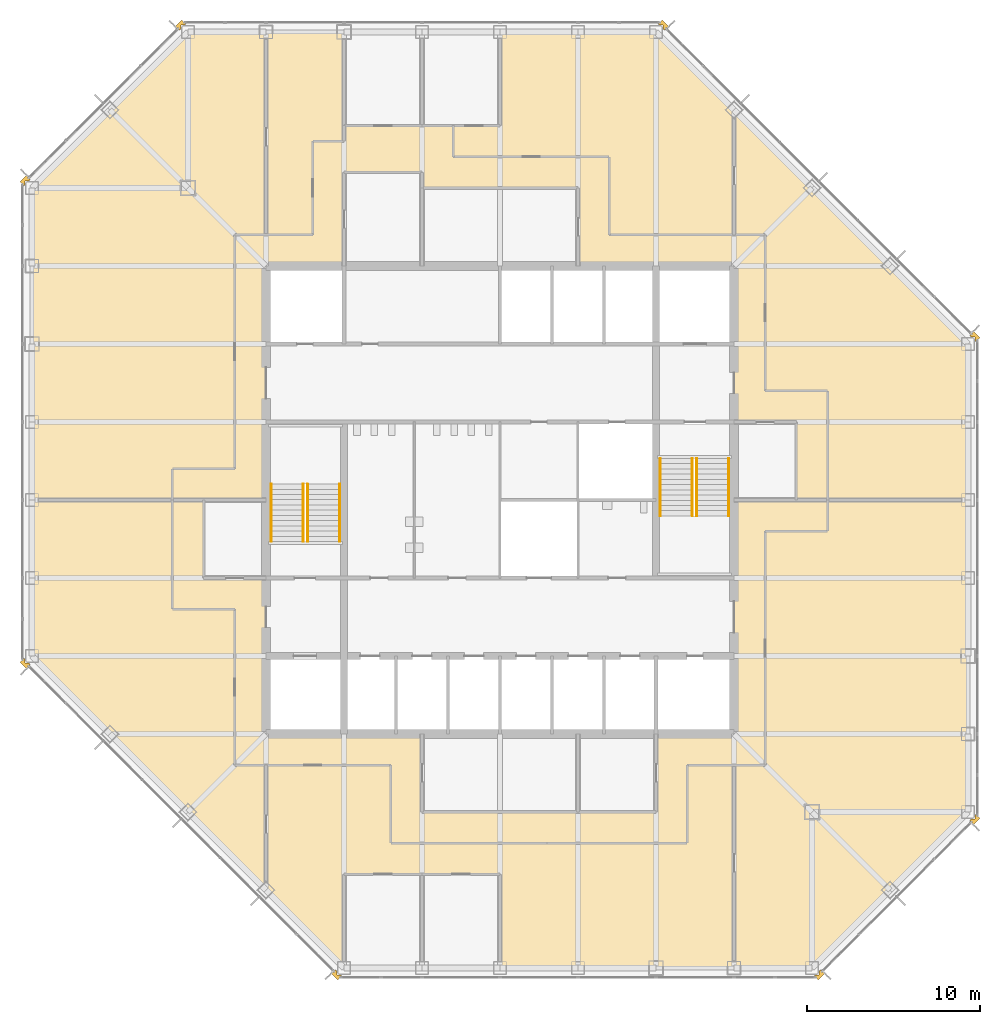
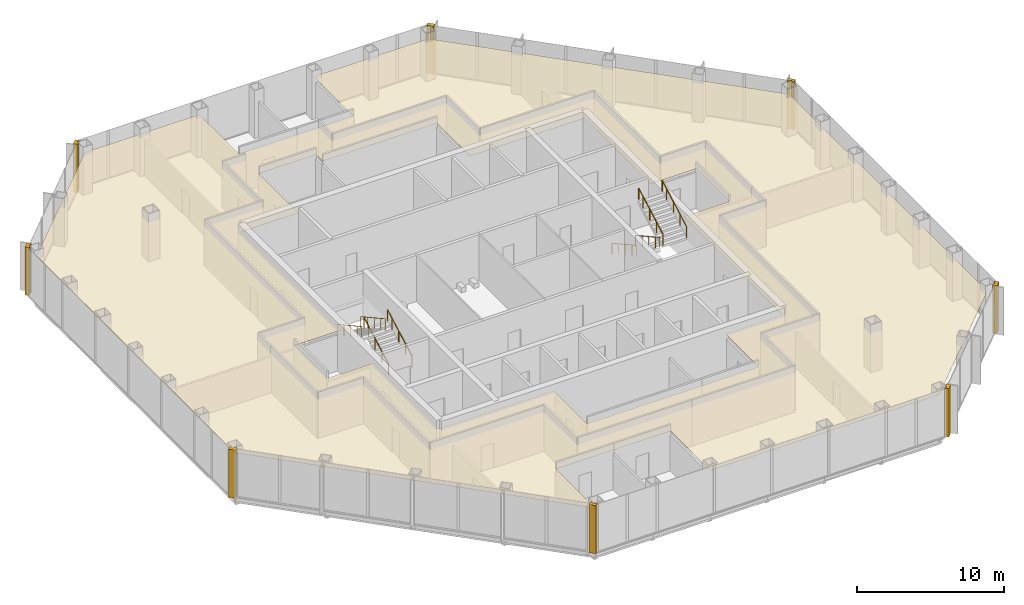
# One storey, part 12 of 13: 9 coverings, 8 railings.
"""IFC4 building model written with IfcOpenShell, lengths in metres."""

import ifcopenshell
import ifcopenshell.guid

model = None  # the IFC model being written
_history = None  # IfcOwnerHistory: only IFC2X3 demands one
_inside = {}  # id of a spatial element -> (the spatial element, [elements in it])
_under = {}  # id of a project, library or spatial element -> (it, [spatial elements below it])
_declared = {}  # id of a project -> (the project, [libraries it declares])
_typed = {}  # id of a type object -> (the type object, [elements of that type])
_made_of = {}  # id of a material, layer set ... -> (it, [elements and type objects made of it])


def new_model(schema):
    """Start an empty IFC model of exactly this schema.

    Asked for "IFC4X3", IfcOpenShell would pick the latest addendum, in which some entities
    have other attributes; the version numbers below select the first issue.
    IFC2X3 requires an IfcOwnerHistory on every rooted entity: one is made here for all.
    """
    global model, _history
    if schema == "IFC4X3":
        model = ifcopenshell.file(schema_version=(4, 3, 0, 0))
    else:
        model = ifcopenshell.file(schema=schema)
    _inside.clear()
    _under.clear()
    _declared.clear()
    _typed.clear()
    _made_of.clear()
    _history = None
    if model.schema == "IFC2X3":
        org = make("IfcOrganization", Name="unknown")
        user = make(
            "IfcPersonAndOrganization",
            ThePerson=make("IfcPerson", FamilyName="unknown"),
            TheOrganization=org,
        )
        app = make(
            "IfcApplication",
            ApplicationDeveloper=org,
            Version="unknown",
            ApplicationFullName="unknown",
            ApplicationIdentifier="unknown",
        )
        _history = make(
            "IfcOwnerHistory",
            OwningUser=user,
            OwningApplication=app,
            ChangeAction="ADDED",
            CreationDate=0,
        )
    return model


def make(cls, **values):
    """One entity of the class cls with the attributes given. An attribute that is None is left unset."""
    return model.create_entity(
        cls, **{name: value for name, value in values.items() if value is not None}
    )


def rooted(cls, **values):
    """An entity with a GlobalId (a new one), such as an element, a storey or a relation."""
    return make(cls, GlobalId=ifcopenshell.guid.new(), OwnerHistory=_history, **values)


def si_unit(unit_type, name, prefix=None):
    """IfcSIUnit, for example si_unit("LENGTHUNIT", "METRE", prefix="MILLI")."""
    return make("IfcSIUnit", UnitType=unit_type, Prefix=prefix, Name=name)


def assignment(units):
    """IfcUnitAssignment: the units of a project."""
    return None if units is None else make("IfcUnitAssignment", Units=units)


def point(xyz):
    """IfcCartesianPoint."""
    return None if xyz is None else make("IfcCartesianPoint", Coordinates=xyz)


def direction(xyz):
    """IfcDirection."""
    return None if xyz is None else make("IfcDirection", DirectionRatios=xyz)


def frame(location, z_axis=None, x_axis=None):
    """IfcAxis2Placement3D, a coordinate frame: its origin and axes. An axis left out is left unset."""
    return make(
        "IfcAxis2Placement3D",
        Location=point(location),
        Axis=direction(z_axis),
        RefDirection=direction(x_axis),
    )


def frame_2d(location, x_axis=None):
    """IfcAxis2Placement2D, a coordinate frame in the plane: its origin and x axis."""
    return make(
        "IfcAxis2Placement2D", Location=point(location), RefDirection=direction(x_axis)
    )


def origin():
    """The frame at (0, 0, 0) with its axes left unset."""
    return frame((0.0, 0.0, 0.0))


def origin_2d():
    """The frame at (0, 0) in the plane with its x axis left unset."""
    return frame_2d((0.0, 0.0))


def place(relative_to, where):
    """IfcLocalPlacement: puts the frame where relative to a parent placement (None: the world)."""
    return make(
        "IfcLocalPlacement", PlacementRelTo=relative_to, RelativePlacement=where
    )


def context(
    kind, dimensions, precision=None, world=None, true_north=None, identifier=None
):
    """IfcGeometricRepresentationContext, for example the 3D "Model" context."""
    return make(
        "IfcGeometricRepresentationContext",
        ContextIdentifier=identifier,
        ContextType=kind,
        CoordinateSpaceDimension=dimensions,
        Precision=precision,
        WorldCoordinateSystem=world,
        TrueNorth=true_north,
    )


def subcontext(parent, identifier, kind, view, scale=None):
    """IfcGeometricRepresentationSubContext, for example "Body" below "Model"."""
    return make(
        "IfcGeometricRepresentationSubContext",
        ContextIdentifier=identifier,
        ContextType=kind,
        ParentContext=parent,
        TargetScale=scale,
        TargetView=view,
    )


def project(units=None, contexts=None):
    """IfcProject with its units and contexts."""
    return rooted(
        "IfcProject",
        Name="project",
        RepresentationContexts=contexts,
        UnitsInContext=assignment(units),
    )


def spatial(cls, under=None, at=None, **own):
    """A site, building, storey or space (cls), placed at a placement, below another one or the project."""
    s = rooted(cls, ObjectPlacement=at, **own)
    if under is not None:
        _under.setdefault(under.id(), (under, []))[1].append(s)
    return s


def polyline(points):
    """IfcPolyline through the points."""
    return make("IfcPolyline", Points=[point(p) for p in points])


def profile(cls, at=None, kind="AREA", **sizes):
    """A parametric profile (cls). Its sizes go by their IFC names, for example OverallWidth=200.0."""
    return make(cls, ProfileType=kind, Position=at, **sizes)


def circle(**sizes):
    """IfcCircleProfileDef."""
    return profile("IfcCircleProfileDef", **sizes)


def outline(outer, holes=None, kind="AREA"):
    """IfcArbitraryClosedProfileDef: a profile drawn as a closed curve; with holes, ...WithVoids."""
    if holes is None:
        return make("IfcArbitraryClosedProfileDef", ProfileType=kind, OuterCurve=outer)
    return make(
        "IfcArbitraryProfileDefWithVoids",
        ProfileType=kind,
        OuterCurve=outer,
        InnerCurves=holes,
    )


def extrude(swept, where, along, depth):
    """IfcExtrudedAreaSolid: the profile swept, set in the frame where, extruded along a direction by depth."""
    return make(
        "IfcExtrudedAreaSolid",
        SweptArea=swept,
        Position=where,
        ExtrudedDirection=direction(along),
        Depth=depth,
    )


def shape(context_of_items, identifier, shape_type, items):
    """IfcShapeRepresentation: the items that make up one representation, for example the "Body"."""
    return make(
        "IfcShapeRepresentation",
        ContextOfItems=context_of_items,
        RepresentationIdentifier=identifier,
        RepresentationType=shape_type,
        Items=items,
    )


def material(Name=None, Category=None):
    """IfcMaterial."""
    return make("IfcMaterial", Name=Name, Category=Category)


def layer(
    of_material, thickness, ventilated=None, Name=None, Category=None, Priority=None
):
    """IfcMaterialLayer: one layer of a wall or slab, of a material (None: an air gap)."""
    return make(
        "IfcMaterialLayer",
        Material=of_material,
        LayerThickness=thickness,
        IsVentilated=ventilated,
        Name=Name,
        Category=Category,
        Priority=Priority,
    )


def layer_set(layers, Name=None):
    """IfcMaterialLayerSet."""
    return make("IfcMaterialLayerSet", MaterialLayers=layers, LayerSetName=Name)


def made_of(thing, what):
    """Note that an element or type object is made of a material, layer set ...; save() writes the relation."""
    if what is not None:
        _made_of.setdefault(what.id(), (what, []))[1].append(thing)
    return thing


def type_object(cls, material=None, **own):
    """A type object (cls), such as IfcWallType, which elements share."""
    return made_of(rooted(cls, **own), material)


def element(
    cls,
    number,
    at=None,
    inside=None,
    cuts=None,
    type_object=None,
    material=None,
    context=None,
    identifier="Body",
    shape_type=None,
    held_by="IfcProductDefinitionShape",
    body=None,
    shapes=None,
    **own,
):
    """One element of the class cls, such as IfcWall. Its Tag is "e" and its number.

    at: its placement. inside: the storey or other place that contains it. cuts: it is an
    opening in that element (IfcRelVoidsElement). A single representation is given by context,
    identifier, shape_type and body (its items); several are given by shapes. held_by: the class
    of the entity that holds the representations. save() writes the other relations.
    """
    e = rooted(cls, Tag="e%d" % number, ObjectPlacement=at, **own)
    if body is not None:
        shapes = [shape(context, identifier, shape_type, body)]
    if shapes is not None:
        e.Representation = make(held_by, Representations=shapes)
    if inside is not None:
        _inside.setdefault(inside.id(), (inside, []))[1].append(e)
    if cuts is not None:
        rooted(
            "IfcRelVoidsElement", RelatingBuildingElement=cuts, RelatedOpeningElement=e
        )
    if type_object is not None:
        _typed.setdefault(type_object.id(), (type_object, []))[1].append(e)
    return made_of(e, material)


def aggregate(whole, parts):
    """IfcRelAggregates: a whole, such as a stair, and the parts it consists of."""
    return rooted("IfcRelAggregates", RelatingObject=whole, RelatedObjects=parts)


def save(model, path):
    """Write the relations noted so far, then the file.

    IfcRelAggregates (storeys below a building ...), IfcRelContainedInSpatialStructure (elements
    in a storey), IfcRelDefinesByType, IfcRelAssociatesMaterial and IfcRelDeclares: one each for
    every whole, place, type object, material and project.
    """
    for whole, parts in _under.values():
        aggregate(whole, parts)
    for where, things in _inside.values():
        rooted(
            "IfcRelContainedInSpatialStructure",
            RelatedElements=things,
            RelatingStructure=where,
        )
    for kind, things in _typed.values():
        rooted("IfcRelDefinesByType", RelatedObjects=things, RelatingType=kind)
    for what, things in _made_of.values():
        rooted("IfcRelAssociatesMaterial", RelatedObjects=things, RelatingMaterial=what)
    for by, libraries in _declared.values():
        rooted("IfcRelDeclares", RelatingContext=by, RelatedDefinitions=libraries)
    model.write(path)


model = new_model("IFC4")

# Units and contexts
model_context = context("Model", 3, precision=1e-05, world=origin(), true_north=direction((0.0, 1.0)))
body_context = subcontext(model_context, "Body", "Model", "MODEL_VIEW")
ifc_project = project(units=[si_unit("LENGTHUNIT", "METRE"), si_unit("AREAUNIT", "SQUARE_METRE"), si_unit("VOLUMEUNIT", "CUBIC_METRE"), si_unit("PLANEANGLEUNIT", "RADIAN"), si_unit("MASSUNIT", "GRAM", prefix="KILO")], contexts=[model_context])

# Site, building, storey
site_placement = place(None, origin())
site = spatial("IfcSite", under=ifc_project, at=site_placement, CompositionType="ELEMENT")
building_placement = place(site_placement, origin())
building = spatial("IfcBuilding", under=site, at=building_placement, Name="Corais Broadcast Tower", CompositionType="ELEMENT")
storey_placement = place(building_placement, frame((0.0, 0.0, 123.60009765625)))
storey = spatial("IfcBuildingStorey", under=building, at=storey_placement, Name="L27", CompositionType="ELEMENT", Elevation=123.60009765625)

# Railings
ifc_material_1 = material(Name="Stainless steel handrail", Category="steel")
railing_type = type_object("IfcRailingType", Name="Handrail 920", PredefinedType="HANDRAIL", material=ifc_material_1)
for number, where, name in (
    (1, (17.75, 24.60009765625, 0.16650390625), "HR1 L27"),
    (2, (15.89990234375, 24.60009765625, 0.16650390625), "HR1 L27"),
):
    element("IfcRailing", number, at=place(storey_placement, frame(where)), inside=storey, type_object=railing_type, Name=name, PredefinedType="HANDRAIL", context=body_context, shape_type="SweptSolid", body=[
        extrude(circle(Radius=0.02392578125, at=origin_2d()), frame((0.0, 0.0, 0.89599609375), z_axis=(0.0, 0.875504475178, 0.483210010185), x_axis=(-1.0, 0.0, 0.0)), (0.0, 0.0, 1.0), 3.79443359375),
        extrude(circle(Radius=0.02099609375, at=origin_2d()), origin(), (0.0, 0.0, 1.0), 0.871826171875),
        extrude(circle(Radius=0.02099609375, at=origin_2d()), frame((0.0, 0.906005859375, 0.5)), (0.0, 0.0, 1.0), 0.871826171875),
        extrude(circle(Radius=0.02099609375, at=origin_2d()), frame((0.0, 1.81201171875, 1.0)), (0.0, 0.0, 1.0), 0.871826171875),
        extrude(circle(Radius=0.02099609375, at=origin_2d()), frame((0.0, 2.718017578125, 1.500244140625)), (0.0, 0.0, 1.0), 0.871826171875),
        extrude(circle(Radius=0.02099609375, at=origin_2d()), frame((0.0, 3.322021484375, 1.83349609375)), (0.0, 0.0, 1.0), 0.871826171875),
    ])
for number, where, name in (
    (3, (13.800048828125, 27.922119140625, 2.16650390625), "HR1 L27"),
    (4, (15.64990234375, 27.922119140625, 2.16650390625), "HR1 L27"),
    (5, (36.25, 29.39990234375, 0.16650390625), "HR1 L27"),
    (6, (38.10009765625, 29.39990234375, 0.16650390625), "HR1 L27"),
):
    element("IfcRailing", number, at=place(storey_placement, frame(where)), inside=storey, type_object=railing_type, Name=name, PredefinedType="HANDRAIL", context=body_context, shape_type="SweptSolid", body=[
        extrude(circle(Radius=0.02392578125, at=origin_2d()), frame((0.0, 0.0, 0.89599609375), z_axis=(0.0, -0.875504475178, 0.483210010185), x_axis=(1.0, 0.0, 0.0)), (0.0, 0.0, 1.0), 3.79443359375),
        extrude(circle(Radius=0.02099609375, at=origin_2d()), origin(), (0.0, 0.0, 1.0), 0.871826171875),
        extrude(circle(Radius=0.02099609375, at=origin_2d()), frame((0.0, -0.906005859375, 0.5)), (0.0, 0.0, 1.0), 0.871826171875),
        extrude(circle(Radius=0.02099609375, at=origin_2d()), frame((0.0, -1.81201171875, 1.0)), (0.0, 0.0, 1.0), 0.871826171875),
        extrude(circle(Radius=0.02099609375, at=origin_2d()), frame((0.0, -2.718017578125, 1.500244140625)), (0.0, 0.0, 1.0), 0.871826171875),
        extrude(circle(Radius=0.02099609375, at=origin_2d()), frame((0.0, -3.322021484375, 1.83349609375)), (0.0, 0.0, 1.0), 0.871826171875),
    ])
for number, where, name in (
    (7, (40.199951171875, 26.077880859375, 2.16650390625), "HR1 L27"),
    (8, (38.35009765625, 26.077880859375, 2.16650390625), "HR1 L27"),
):
    element("IfcRailing", number, at=place(storey_placement, frame(where)), inside=storey, type_object=railing_type, Name=name, PredefinedType="HANDRAIL", context=body_context, shape_type="SweptSolid", body=[
        extrude(circle(Radius=0.02392578125, at=origin_2d()), frame((0.0, 0.0, 0.89599609375), z_axis=(0.0, 0.875504475178, 0.483210010185), x_axis=(-1.0, 0.0, 0.0)), (0.0, 0.0, 1.0), 3.79443359375),
        extrude(circle(Radius=0.02099609375, at=origin_2d()), origin(), (0.0, 0.0, 1.0), 0.871826171875),
        extrude(circle(Radius=0.02099609375, at=origin_2d()), frame((0.0, 0.906005859375, 0.5)), (0.0, 0.0, 1.0), 0.871826171875),
        extrude(circle(Radius=0.02099609375, at=origin_2d()), frame((0.0, 1.81201171875, 1.0)), (0.0, 0.0, 1.0), 0.871826171875),
        extrude(circle(Radius=0.02099609375, at=origin_2d()), frame((0.0, 2.718017578125, 1.500244140625)), (0.0, 0.0, 1.0), 0.871826171875),
        extrude(circle(Radius=0.02099609375, at=origin_2d()), frame((0.0, 3.322021484375, 1.83349609375)), (0.0, 0.0, 1.0), 0.871826171875),
    ])

# Coverings
ifc_material_2 = material(Name="Granite stone cladding", Category="masonry")
ifc_layer_1 = layer(ifc_material_2, 0.324951171875)
ifc_layer_set_1 = layer_set([ifc_layer_1], Name="Granite stone cladding")
covering_type_1 = type_object("IfcCoveringType", Name="Stone corner pier cladding 500x325", PredefinedType="CLADDING", material=ifc_layer_set_1)
covering_1_placement = place(storey_placement, origin())
element("IfcCovering", 9, at=covering_1_placement, inside=storey, type_object=covering_type_1, Name="SP1 stone corner pier L27", PredefinedType="CLADDING", context=body_context, shape_type="SweptSolid", body=[
    extrude(outline(polyline([(17.860595703125, -0.461669921875), (17.799072265625, -0.39990234375), (17.60009765625, -0.39990234375), (17.60009765625, -0.200927734375), (17.507080078125, -0.108154296875), (17.277099609375, -0.337890625), (17.630859375, -0.69140625), (17.860595703125, -0.461669921875)])), origin(), (0.0, 0.0, 1.0), 4.0),
])
covering_2_placement = place(storey_placement, origin())
element("IfcCovering", 10, at=covering_2_placement, inside=storey, type_object=covering_type_1, Name="SP1 stone corner pier L27", PredefinedType="CLADDING", context=body_context, shape_type="SweptSolid", body=[
    extrude(outline(polyline([(-0.39990234375, 17.799072265625), (-0.461669921875, 17.860595703125), (-0.69140625, 17.630859375), (-0.337890625, 17.277099609375), (-0.108154296875, 17.507080078125), (-0.200927734375, 17.60009765625), (-0.39990234375, 17.60009765625), (-0.39990234375, 17.799072265625)])), origin(), (0.0, 0.0, 1.0), 4.0),
])
covering_3_placement = place(storey_placement, origin())
element("IfcCovering", 11, at=covering_3_placement, inside=storey, type_object=covering_type_1, Name="SP1 stone corner pier L27", PredefinedType="CLADDING", context=body_context, shape_type="SweptSolid", body=[
    extrude(outline(polyline([(-0.461669921875, 45.139404296875), (-0.39990234375, 45.200927734375), (-0.39990234375, 45.39990234375), (-0.200927734375, 45.39990234375), (-0.108154296875, 45.492919921875), (-0.337890625, 45.722900390625), (-0.69140625, 45.369140625), (-0.461669921875, 45.139404296875)])), origin(), (0.0, 0.0, 1.0), 4.0),
])
covering_4_placement = place(storey_placement, origin())
element("IfcCovering", 12, at=covering_4_placement, inside=storey, type_object=covering_type_1, Name="SP1 stone corner pier L27", PredefinedType="CLADDING", context=body_context, shape_type="SweptSolid", body=[
    extrude(outline(polyline([(8.799072265625, 54.39990234375), (8.860595703125, 54.461669921875), (8.630859375, 54.69140625), (8.277099609375, 54.337890625), (8.507080078125, 54.108154296875), (8.60009765625, 54.200927734375), (8.60009765625, 54.39990234375), (8.799072265625, 54.39990234375)])), origin(), (0.0, 0.0, 1.0), 4.0),
])
covering_5_placement = place(storey_placement, origin())
element("IfcCovering", 13, at=covering_5_placement, inside=storey, type_object=covering_type_1, Name="SP1 stone corner pier L27", PredefinedType="CLADDING", context=body_context, shape_type="SweptSolid", body=[
    extrude(outline(polyline([(36.139404296875, 54.461669921875), (36.200927734375, 54.39990234375), (36.39990234375, 54.39990234375), (36.39990234375, 54.200927734375), (36.492919921875, 54.108154296875), (36.722900390625, 54.337890625), (36.369140625, 54.69140625), (36.139404296875, 54.461669921875)])), origin(), (0.0, 0.0, 1.0), 4.0),
])
covering_6_placement = place(storey_placement, origin())
element("IfcCovering", 14, at=covering_6_placement, inside=storey, type_object=covering_type_1, Name="SP1 stone corner pier L27", PredefinedType="CLADDING", context=body_context, shape_type="SweptSolid", body=[
    extrude(outline(polyline([(54.39990234375, 36.200927734375), (54.461669921875, 36.139404296875), (54.69140625, 36.369140625), (54.337890625, 36.722900390625), (54.108154296875, 36.492919921875), (54.200927734375, 36.39990234375), (54.39990234375, 36.39990234375), (54.39990234375, 36.200927734375)])), origin(), (0.0, 0.0, 1.0), 4.0),
])
covering_7_placement = place(storey_placement, origin())
element("IfcCovering", 15, at=covering_7_placement, inside=storey, type_object=covering_type_1, Name="SP1 stone corner pier L27", PredefinedType="CLADDING", context=body_context, shape_type="SweptSolid", body=[
    extrude(outline(polyline([(54.461669921875, 8.860595703125), (54.39990234375, 8.799072265625), (54.39990234375, 8.60009765625), (54.200927734375, 8.60009765625), (54.108154296875, 8.507080078125), (54.337890625, 8.277099609375), (54.69140625, 8.630859375), (54.461669921875, 8.860595703125)])), origin(), (0.0, 0.0, 1.0), 4.0),
])
covering_8_placement = place(storey_placement, origin())
element("IfcCovering", 16, at=covering_8_placement, inside=storey, type_object=covering_type_1, Name="SP1 stone corner pier L27", PredefinedType="CLADDING", context=body_context, shape_type="SweptSolid", body=[
    extrude(outline(polyline([(45.200927734375, -0.39990234375), (45.139404296875, -0.461669921875), (45.369140625, -0.69140625), (45.722900390625, -0.337890625), (45.492919921875, -0.108154296875), (45.39990234375, -0.200927734375), (45.39990234375, -0.39990234375), (45.200927734375, -0.39990234375)])), origin(), (0.0, 0.0, 1.0), 4.0),
])
ifc_material_3 = material(Name="Mineral fibre ceiling tile", Category="mineral")
ifc_layer_2 = layer(ifc_material_3, 0.02001953125)
ifc_layer_set_2 = layer_set([ifc_layer_2], Name="Mineral fibre ceiling tile")
covering_type_2 = type_object("IfcCoveringType", Name="Suspended ceiling", PredefinedType="CEILING", material=ifc_layer_set_2)
covering_9_placement = place(storey_placement, frame((0.0, 0.0, 3.219970703125)))
element("IfcCovering", 17, at=covering_9_placement, inside=storey, type_object=covering_type_2, Name="CE1 ceiling L27", PredefinedType="CEILING", context=body_context, shape_type="SweptSolid", body=[
    extrude(outline(polyline([(13.501708984375, 4.498291015625), (13.499755859375, 4.500244140625), (0.0, 18.0), (0.0, 45.0), (9.0, 54.0), (18.0, 54.0), (18.0, 48.60009765625), (27.0, 48.60009765625), (27.0, 54.0), (36.0, 54.0), (54.0, 36.0), (54.0, 9.0), (45.0, 0.0), (27.0, 0.0), (27.0, 5.39990234375), (18.0, 5.39990234375), (18.0, 0.0), (13.501708984375, 4.498291015625)]), holes=[polyline([(9.89990234375, 22.5), (13.5, 22.5), (13.5, 13.5), (22.5, 13.5), (22.5, 9.0), (36.0, 9.0), (36.0, 13.5), (40.5, 13.5), (40.5, 26.99951171875), (44.10009765625, 26.99951171875), (44.10009765625, 31.5), (40.5, 31.5), (40.5, 40.5), (31.5, 40.5), (31.5, 45.0), (22.5, 45.0), (22.5, 45.89990234375), (18.0, 45.89990234375), (18.0, 40.5), (13.5, 40.5), (13.5, 27.00048828125), (9.89990234375, 27.00048828125), (9.89990234375, 22.5)])]), origin(), (0.0, 0.0, 1.0), 0.02001953125),
])

save(model, "model.ifc")
